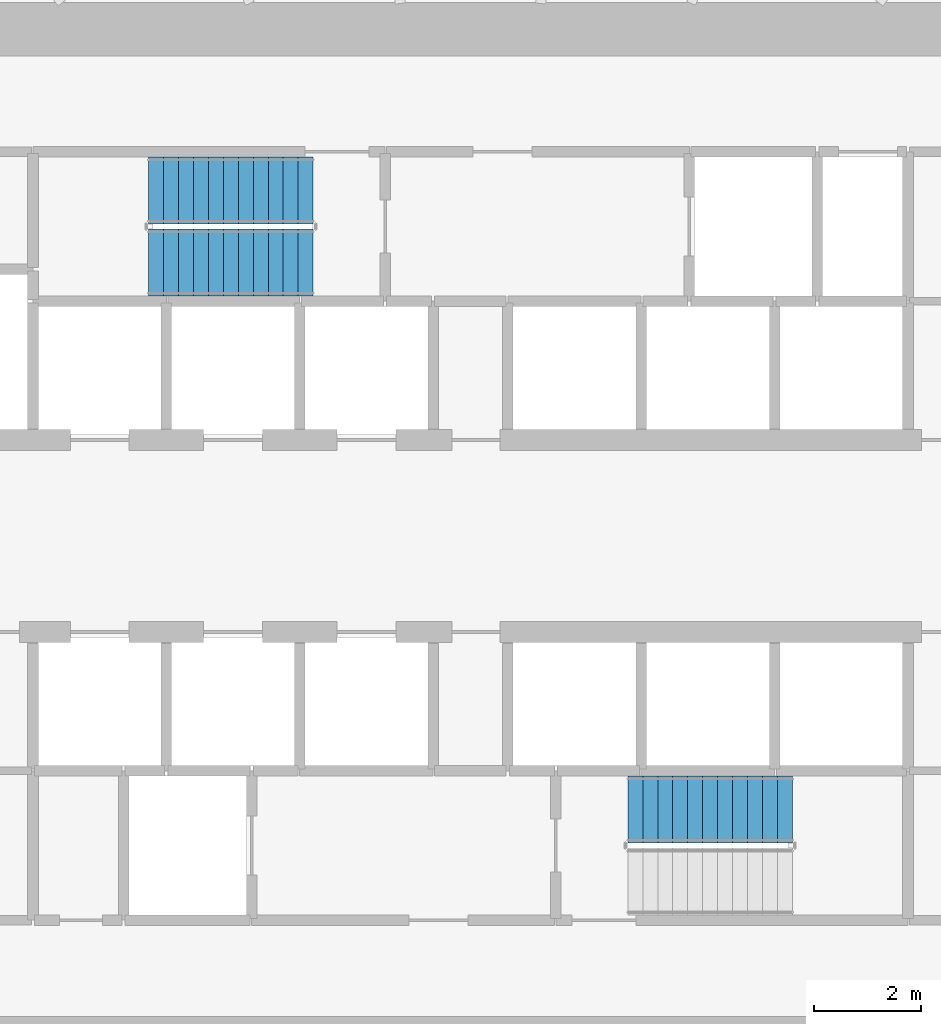
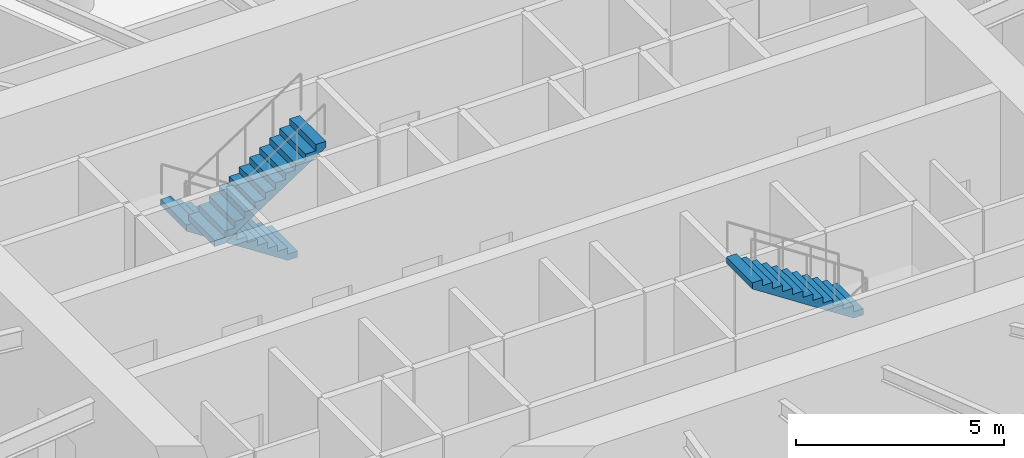
# One storey, part 16 of 19: 3 stair flights, 2 elements without a shape of their own.
"""IFC4 building model written with IfcOpenShell, lengths in metres."""

from ifc_helpers import new_model, si_unit, direction, frame, origin, place, context, subcontext, project, spatial, line, indexed_curve, outline, extrude, material, type_object, element, aggregate, save


model = new_model("IFC4")

# Units and contexts
model_context = context("Model", 3, precision=1e-05, world=origin(), true_north=direction((0.0, 1.0)))
body_context = subcontext(model_context, "Body", "Model", "MODEL_VIEW")
ifc_project = project(units=[si_unit("LENGTHUNIT", "METRE"), si_unit("AREAUNIT", "SQUARE_METRE"), si_unit("VOLUMEUNIT", "CUBIC_METRE"), si_unit("PLANEANGLEUNIT", "RADIAN"), si_unit("MASSUNIT", "GRAM", prefix="KILO")], contexts=[model_context])

# Site, building, storey
site_placement = place(None, origin())
site = spatial("IfcSite", under=ifc_project, at=site_placement, CompositionType="ELEMENT")
building_placement = place(site_placement, origin())
building = spatial("IfcBuilding", under=site, at=building_placement, Name="Spindrift Exchange Tower", CompositionType="ELEMENT")
storey_placement = place(building_placement, frame((0.0, 0.0, 31.39990234375)))
storey = spatial("IfcBuildingStorey", under=building, at=storey_placement, Name="L07", CompositionType="ELEMENT", Elevation=31.39990234375)

# Stair, stair flights
ifc_material = material(Name="Concrete 50 MPa", Category="concrete")
stair_type = type_object("IfcStairType", Name="ST-1250-R183", PredefinedType="HALF_TURN_STAIR", material=ifc_material)
stair_1_placement = place(storey_placement, origin())
stair_1 = element("IfcStair", 1, at=stair_1_placement, inside=storey, type_object=stair_type, Name="L07 Exit stair ST1", PredefinedType="HALF_TURN_STAIR")
stair_flight_type = type_object("IfcStairFlightType", Name="STF-1250-R183", PredefinedType="STRAIGHT", material=ifc_material)
stair_flight_1_placement = place(storey_placement, frame((49.050048828125, 54.47509765625, 0.0), z_axis=(0.0, 0.0, 1.0), x_axis=(-1.0, 0.0, 0.0)))
stair_flight_1 = element("IfcStairFlight", 2, at=stair_flight_1_placement, type_object=stair_flight_type, Name="ST1 flight 1", NumberOfRisers=12, NumberOfTreads=11, PredefinedType="STRAIGHT", RiserHeight=0.183333333, TreadLength=0.28, context=body_context, shape_type="SweptSolid", body=[
    extrude(outline(indexed_curve([(0.0, 0.0), (0.0, 0.18359375), (0.2802734375, 0.18359375), (0.2802734375, 0.3662109375), (0.5595703125, 0.3662109375), (0.5595703125, 0.5498046875), (0.83984375, 0.5498046875), (0.83984375, 0.7333984375), (1.1201171875, 0.7333984375), (1.1201171875, 0.9169921875), (1.400390625, 0.9169921875), (1.400390625, 1.099609375), (1.6796875, 1.099609375), (1.6796875, 1.283203125), (1.9599609375, 1.283203125), (1.9599609375, 1.466796875), (2.240234375, 1.466796875), (2.240234375, 1.650390625), (2.51953125, 1.650390625), (2.51953125, 1.8330078125), (2.7998046875, 1.8330078125), (2.7998046875, 2.0166015625), (3.080078125, 2.0166015625), (3.080078125, 2.2001953125), (3.080078125, 1.837890625), (0.2734375, 0.0)], segments=[line(1, 2, 3, 4, 5, 6, 7, 8, 9, 10, 11, 12, 13, 14, 15, 16, 17, 18, 19, 20, 21, 22, 23, 24, 25, 26, 1)], self_intersect=False)), frame((0.0, 0.625, 0.0), z_axis=(0.0, -1.0, 0.0), x_axis=(1.0, 0.0, 0.0)), (0.0, 0.0, 1.0), 1.25),
])
stair_flight_2_placement = place(storey_placement, frame((45.969970703125, 53.125, 2.2001953125), z_axis=(0.0, 0.0, 1.0), x_axis=(1.0, 0.0, 0.0)))
stair_flight_2 = element("IfcStairFlight", 3, at=stair_flight_2_placement, type_object=stair_flight_type, Name="ST1 flight 2", NumberOfRisers=12, NumberOfTreads=11, PredefinedType="STRAIGHT", RiserHeight=0.183333333, TreadLength=0.28, context=body_context, shape_type="SweptSolid", body=[
    extrude(outline(indexed_curve([(0.0, 0.0), (0.0, 0.18359375), (0.2802734375, 0.18359375), (0.2802734375, 0.3662109375), (0.5595703125, 0.3662109375), (0.5595703125, 0.5498046875), (0.83984375, 0.5498046875), (0.83984375, 0.7333984375), (1.1201171875, 0.7333984375), (1.1201171875, 0.9169921875), (1.400390625, 0.9169921875), (1.400390625, 1.099609375), (1.6796875, 1.099609375), (1.6796875, 1.283203125), (1.9599609375, 1.283203125), (1.9599609375, 1.466796875), (2.240234375, 1.466796875), (2.240234375, 1.650390625), (2.51953125, 1.650390625), (2.51953125, 1.8330078125), (2.7998046875, 1.8330078125), (2.7998046875, 2.0166015625), (3.080078125, 2.0166015625), (3.080078125, 2.2001953125), (3.080078125, 1.837890625), (0.2734375, 0.0)], segments=[line(1, 2, 3, 4, 5, 6, 7, 8, 9, 10, 11, 12, 13, 14, 15, 16, 17, 18, 19, 20, 21, 22, 23, 24, 25, 26, 1)], self_intersect=False)), frame((0.0, 0.625, 0.0), z_axis=(0.0, -1.0, 0.0), x_axis=(1.0, 0.0, 0.0)), (0.0, 0.0, 1.0), 1.25),
])
aggregate(stair_1, [stair_flight_1, stair_flight_2])

# Stair, stair flight
stair_2_placement = place(storey_placement, origin())
stair_2 = element("IfcStair", 4, at=stair_2_placement, inside=storey, type_object=stair_type, Name="L07 Exit stair ST2", PredefinedType="HALF_TURN_STAIR")
stair_flight_3_placement = place(storey_placement, frame((58.030029296875, 42.875, 2.2001953125), z_axis=(0.0, 0.0, 1.0), x_axis=(-1.0, 0.0, 0.0)))
stair_flight_3 = element("IfcStairFlight", 5, at=stair_flight_3_placement, type_object=stair_flight_type, Name="ST2 flight 2", NumberOfRisers=12, NumberOfTreads=11, PredefinedType="STRAIGHT", RiserHeight=0.183333333, TreadLength=0.28, context=body_context, shape_type="SweptSolid", body=[
    extrude(outline(indexed_curve([(0.0, 0.0), (0.0, 0.18359375), (0.2802734375, 0.18359375), (0.2802734375, 0.3662109375), (0.5595703125, 0.3662109375), (0.5595703125, 0.5498046875), (0.83984375, 0.5498046875), (0.83984375, 0.7333984375), (1.1201171875, 0.7333984375), (1.1201171875, 0.9169921875), (1.400390625, 0.9169921875), (1.400390625, 1.099609375), (1.6796875, 1.099609375), (1.6796875, 1.283203125), (1.9599609375, 1.283203125), (1.9599609375, 1.466796875), (2.240234375, 1.466796875), (2.240234375, 1.650390625), (2.51953125, 1.650390625), (2.51953125, 1.8330078125), (2.7998046875, 1.8330078125), (2.7998046875, 2.0166015625), (3.080078125, 2.0166015625), (3.080078125, 2.2001953125), (3.080078125, 1.837890625), (0.2734375, 0.0)], segments=[line(1, 2, 3, 4, 5, 6, 7, 8, 9, 10, 11, 12, 13, 14, 15, 16, 17, 18, 19, 20, 21, 22, 23, 24, 25, 26, 1)], self_intersect=False)), frame((0.0, 0.625, 0.0), z_axis=(0.0, -1.0, 0.0), x_axis=(1.0, 0.0, 0.0)), (0.0, 0.0, 1.0), 1.25),
])
aggregate(stair_2, [stair_flight_3])

save(model, "model.ifc")
